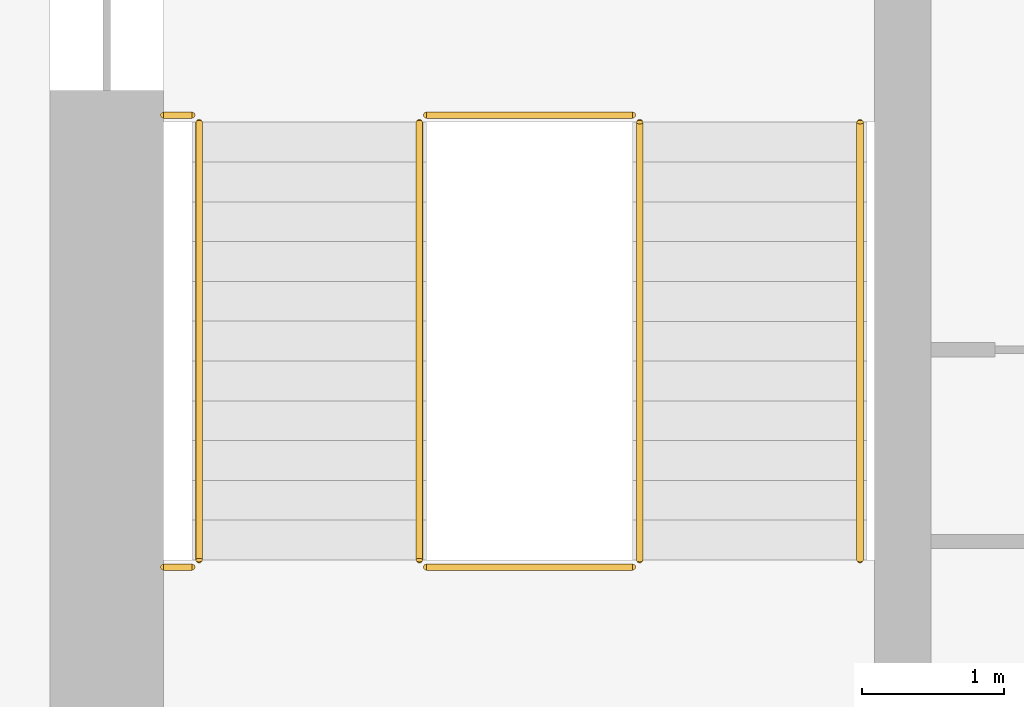
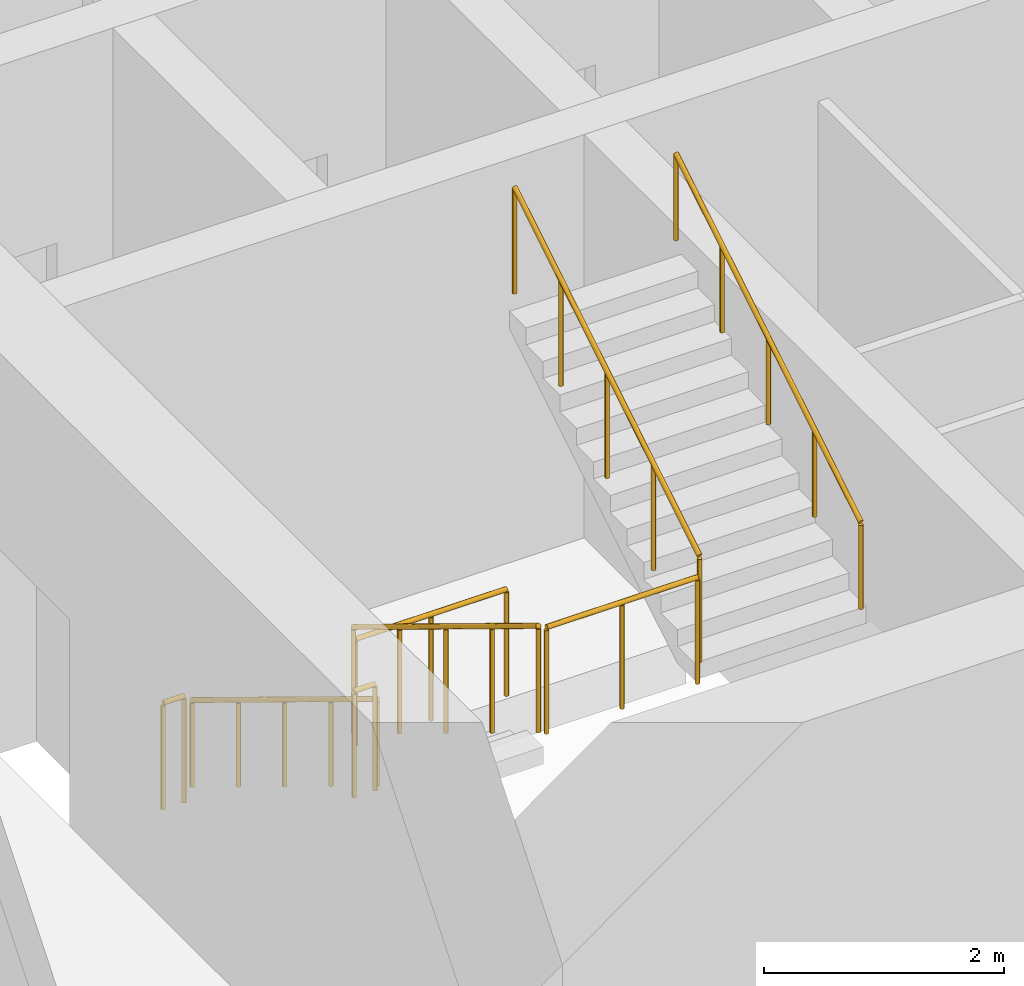
# One storey, part 10 of 16: 8 railings.
"""IFC4 building model written with IfcOpenShell, lengths in metres."""

from ifc_helpers import new_model, si_unit, direction, frame, origin, origin_2d, place, context, subcontext, project, spatial, circle, extrude, material, type_object, element, save


model = new_model("IFC4")

# Units and contexts
model_context = context("Model", 3, precision=1e-05, world=origin(), true_north=direction((0.0, 1.0)))
body_context = subcontext(model_context, "Body", "Model", "MODEL_VIEW")
ifc_project = project(units=[si_unit("LENGTHUNIT", "METRE"), si_unit("AREAUNIT", "SQUARE_METRE"), si_unit("VOLUMEUNIT", "CUBIC_METRE"), si_unit("PLANEANGLEUNIT", "RADIAN"), si_unit("MASSUNIT", "GRAM", prefix="KILO")], contexts=[model_context])

# Site, building, storey
site_placement = place(None, origin())
site = spatial("IfcSite", under=ifc_project, at=site_placement, CompositionType="ELEMENT")
building_placement = place(site_placement, origin())
building = spatial("IfcBuilding", under=site, at=building_placement, Name="Corbel Stack Research Tower", CompositionType="ELEMENT")
storey_placement = place(building_placement, frame((0.0, 0.0, 177.300048828125)))
storey = spatial("IfcBuildingStorey", under=building, at=storey_placement, Name="L40", CompositionType="ELEMENT", Elevation=177.300048828125)

# Railings
ifc_material_1 = material(Name="Steel S355", Category="steel")
railing_type_1 = type_object("IfcRailingType", Name="Stair guard 1100", PredefinedType="GUARDRAIL", material=ifc_material_1)
railing_1_placement = place(storey_placement, frame((-7.89990234375, -2.39990234375, 0.1708984375)))
element("IfcRailing", 1, at=railing_1_placement, inside=storey, type_object=railing_type_1, Name="L40 ST-W1 stair guard 1", PredefinedType="GUARDRAIL", context=body_context, shape_type="SweptSolid", body=[
    extrude(circle(Radius=0.02392578125, at=origin_2d()), frame((0.0, 0.0, 1.076171875), z_axis=(0.0, -0.853666305674, 0.52082035152), x_axis=(1.0, 0.0, 0.0)), (0.0, 0.0, 1.0), 3.608154296875),
    extrude(circle(Radius=0.02099609375, at=origin_2d()), origin(), (0.0, 0.0, 1.0), 1.052001953125),
    extrude(circle(Radius=0.02099609375, at=origin_2d()), frame((0.0, -0.77001953125, 0.4697265625)), (0.0, 0.0, 1.0), 1.052001953125),
    extrude(circle(Radius=0.02099609375, at=origin_2d()), frame((0.0, -1.5400390625, 0.939453125)), (0.0, 0.0, 1.0), 1.052001953125),
    extrude(circle(Radius=0.02099609375, at=origin_2d()), frame((0.0, -2.31005859375, 1.409423828125)), (0.0, 0.0, 1.0), 1.052001953125),
    extrude(circle(Radius=0.02099609375, at=origin_2d()), frame((0.0, -3.080078125, 1.879150390625)), (0.0, 0.0, 1.0), 1.052001953125),
])
railing_2_placement = place(storey_placement, frame((-7.85009765625, -5.530029296875, 2.050048828125)))
element("IfcRailing", 2, at=railing_2_placement, inside=storey, type_object=railing_type_1, Name="L40 ST-W1 stair guard 2", PredefinedType="GUARDRAIL", context=body_context, shape_type="SweptSolid", body=[
    extrude(circle(Radius=0.02392578125, at=origin_2d()), frame((0.0, 0.0, 1.076171875), z_axis=(1.0, 0.0, 0.0), x_axis=(0.0, 1.0, 0.0)), (0.0, 0.0, 1.0), 1.4501953125),
    extrude(circle(Radius=0.02099609375, at=origin_2d()), origin(), (0.0, 0.0, 1.0), 1.052001953125),
    extrude(circle(Radius=0.02099609375, at=origin_2d()), frame((0.72509765625, 0.0, 0.0)), (0.0, 0.0, 1.0), 1.052001953125),
    extrude(circle(Radius=0.02099609375, at=origin_2d()), frame((1.4501953125, 0.0, 0.0)), (0.0, 0.0, 1.0), 1.052001953125),
])
railing_3_placement = place(storey_placement, frame((-9.699951171875, -5.530029296875, 2.050048828125)))
element("IfcRailing", 3, at=railing_3_placement, inside=storey, type_object=railing_type_1, Name="L40 ST-W1 stair guard 3", PredefinedType="GUARDRAIL", context=body_context, shape_type="SweptSolid", body=[
    extrude(circle(Radius=0.02392578125, at=origin_2d()), frame((0.0, 0.0, 1.076171875), z_axis=(1.0, 0.0, 0.0), x_axis=(0.0, 1.0, 0.0)), (0.0, 0.0, 1.0), 0.199951171875),
    extrude(circle(Radius=0.02099609375, at=origin_2d()), origin(), (0.0, 0.0, 1.0), 1.052001953125),
    extrude(circle(Radius=0.02099609375, at=origin_2d()), frame((0.199951171875, 0.0, 0.0)), (0.0, 0.0, 1.0), 1.052001953125),
])
railing_4_placement = place(storey_placement, frame((-6.35009765625, -5.47998046875, 2.220703125)))
element("IfcRailing", 4, at=railing_4_placement, inside=storey, type_object=railing_type_1, Name="L40 ST-W1 stair guard 4", PredefinedType="GUARDRAIL", context=body_context, shape_type="SweptSolid", body=[
    extrude(circle(Radius=0.02392578125, at=origin_2d()), frame((0.0, 0.0, 1.076171875), z_axis=(0.0, 0.853666305674, 0.52082035152), x_axis=(-1.0, 0.0, 0.0)), (0.0, 0.0, 1.0), 3.608154296875),
    extrude(circle(Radius=0.02099609375, at=origin_2d()), origin(), (0.0, 0.0, 1.0), 1.052001953125),
    extrude(circle(Radius=0.02099609375, at=origin_2d()), frame((0.0, 0.77001953125, 0.4697265625)), (0.0, 0.0, 1.0), 1.052001953125),
    extrude(circle(Radius=0.02099609375, at=origin_2d()), frame((0.0, 1.5400390625, 0.939453125)), (0.0, 0.0, 1.0), 1.052001953125),
    extrude(circle(Radius=0.02099609375, at=origin_2d()), frame((0.0, 2.31005859375, 1.409423828125)), (0.0, 0.0, 1.0), 1.052001953125),
    extrude(circle(Radius=0.02099609375, at=origin_2d()), frame((0.0, 3.080078125, 1.879150390625)), (0.0, 0.0, 1.0), 1.052001953125),
])
railing_5_placement = place(storey_placement, frame((-7.85009765625, -2.35009765625, 0.0)))
element("IfcRailing", 5, at=railing_5_placement, inside=storey, type_object=railing_type_1, Name="L40 ST-W1 stair guard 5", PredefinedType="GUARDRAIL", context=body_context, shape_type="SweptSolid", body=[
    extrude(circle(Radius=0.02392578125, at=origin_2d()), frame((0.0, 0.0, 1.076171875), z_axis=(1.0, 0.0, 0.0), x_axis=(0.0, 1.0, 0.0)), (0.0, 0.0, 1.0), 1.4501953125),
    extrude(circle(Radius=0.02099609375, at=origin_2d()), origin(), (0.0, 0.0, 1.0), 1.052001953125),
    extrude(circle(Radius=0.02099609375, at=origin_2d()), frame((0.72509765625, 0.0, 0.0)), (0.0, 0.0, 1.0), 1.052001953125),
    extrude(circle(Radius=0.02099609375, at=origin_2d()), frame((1.4501953125, 0.0, 0.0)), (0.0, 0.0, 1.0), 1.052001953125),
])
railing_6_placement = place(storey_placement, frame((-9.699951171875, -2.35009765625, 0.0)))
element("IfcRailing", 6, at=railing_6_placement, inside=storey, type_object=railing_type_1, Name="L40 ST-W1 stair guard 6", PredefinedType="GUARDRAIL", context=body_context, shape_type="SweptSolid", body=[
    extrude(circle(Radius=0.02392578125, at=origin_2d()), frame((0.0, 0.0, 1.076171875), z_axis=(1.0, 0.0, 0.0), x_axis=(0.0, 1.0, 0.0)), (0.0, 0.0, 1.0), 0.199951171875),
    extrude(circle(Radius=0.02099609375, at=origin_2d()), origin(), (0.0, 0.0, 1.0), 1.052001953125),
    extrude(circle(Radius=0.02099609375, at=origin_2d()), frame((0.199951171875, 0.0, 0.0)), (0.0, 0.0, 1.0), 1.052001953125),
])
ifc_material_2 = material(Name="Steel S355", Category="steel")
railing_type_2 = type_object("IfcRailingType", Name="Stair handrail 900", PredefinedType="HANDRAIL", material=ifc_material_2)
railing_7_placement = place(storey_placement, frame((-9.449951171875, -2.39990234375, 0.1708984375)))
element("IfcRailing", 7, at=railing_7_placement, inside=storey, type_object=railing_type_2, Name="L40 ST-W1 stair handrail 1", PredefinedType="HANDRAIL", context=body_context, shape_type="SweptSolid", body=[
    extrude(circle(Radius=0.02392578125, at=origin_2d()), frame((0.0, 0.0, 0.8759765625), z_axis=(0.0, -0.853666305674, 0.52082035152), x_axis=(1.0, 0.0, 0.0)), (0.0, 0.0, 1.0), 3.608154296875),
    extrude(circle(Radius=0.02099609375, at=origin_2d()), origin(), (0.0, 0.0, 1.0), 0.851806640625),
    extrude(circle(Radius=0.02099609375, at=origin_2d()), frame((0.0, -0.77001953125, 0.4697265625)), (0.0, 0.0, 1.0), 0.851806640625),
    extrude(circle(Radius=0.02099609375, at=origin_2d()), frame((0.0, -1.5400390625, 0.939453125)), (0.0, 0.0, 1.0), 0.851806640625),
    extrude(circle(Radius=0.02099609375, at=origin_2d()), frame((0.0, -2.31005859375, 1.409423828125)), (0.0, 0.0, 1.0), 0.851806640625),
    extrude(circle(Radius=0.02099609375, at=origin_2d()), frame((0.0, -3.080078125, 1.879150390625)), (0.0, 0.0, 1.0), 0.851806640625),
])
railing_8_placement = place(storey_placement, frame((-4.800048828125, -5.47998046875, 2.220703125)))
element("IfcRailing", 8, at=railing_8_placement, inside=storey, type_object=railing_type_2, Name="L40 ST-W1 stair handrail 2", PredefinedType="HANDRAIL", context=body_context, shape_type="SweptSolid", body=[
    extrude(circle(Radius=0.02392578125, at=origin_2d()), frame((0.0, 0.0, 0.8759765625), z_axis=(0.0, 0.853666305674, 0.52082035152), x_axis=(-1.0, 0.0, 0.0)), (0.0, 0.0, 1.0), 3.608154296875),
    extrude(circle(Radius=0.02099609375, at=origin_2d()), origin(), (0.0, 0.0, 1.0), 0.851806640625),
    extrude(circle(Radius=0.02099609375, at=origin_2d()), frame((0.0, 0.77001953125, 0.4697265625)), (0.0, 0.0, 1.0), 0.851806640625),
    extrude(circle(Radius=0.02099609375, at=origin_2d()), frame((0.0, 1.5400390625, 0.939453125)), (0.0, 0.0, 1.0), 0.851806640625),
    extrude(circle(Radius=0.02099609375, at=origin_2d()), frame((0.0, 2.31005859375, 1.409423828125)), (0.0, 0.0, 1.0), 0.851806640625),
    extrude(circle(Radius=0.02099609375, at=origin_2d()), frame((0.0, 3.080078125, 1.879150390625)), (0.0, 0.0, 1.0), 0.851806640625),
])

save(model, "model.ifc")
